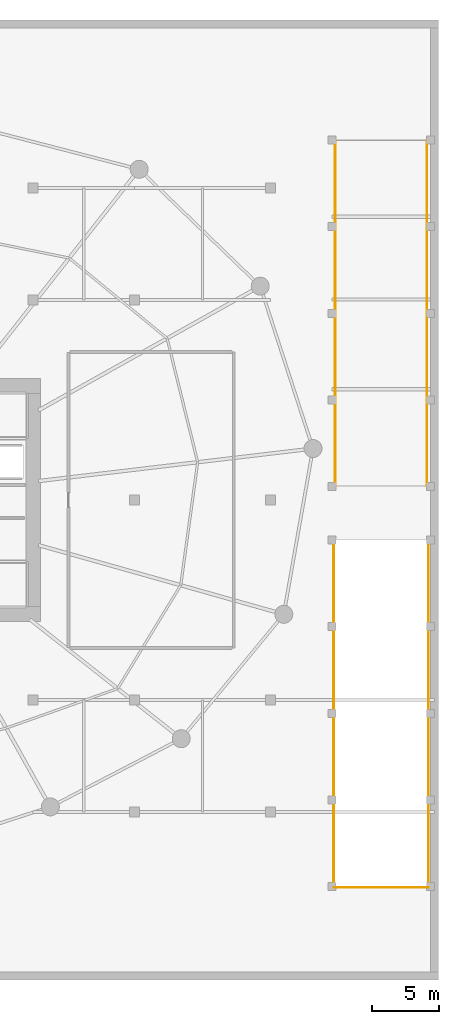
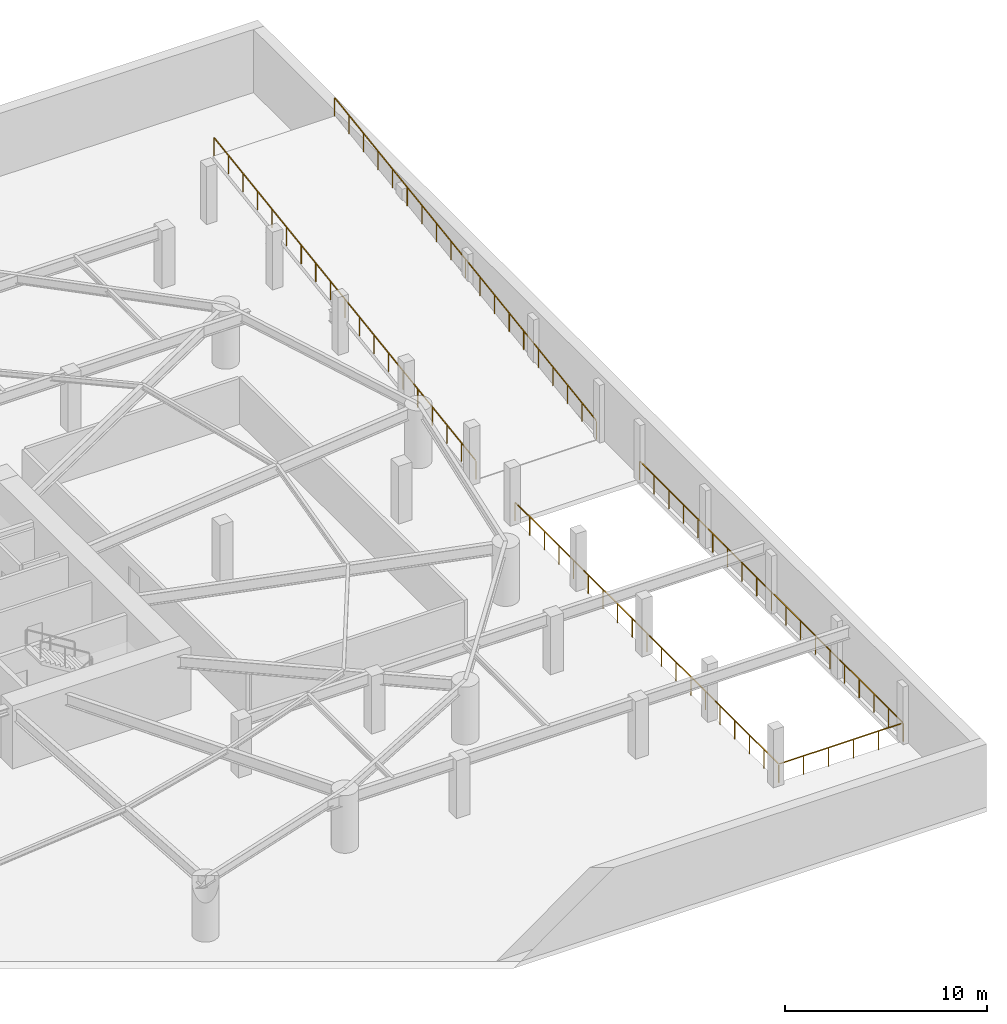
# One storey, part 13 of 13: 5 railings.
"""IFC4 building model written with IfcOpenShell, lengths in metres."""

from ifc_helpers import new_model, si_unit, direction, frame, origin, origin_2d, place, context, subcontext, project, spatial, rectangle, extrude, material, type_object, element, save


model = new_model("IFC4")

# Units and contexts
model_context = context("Model", 3, precision=1e-05, world=origin(), true_north=direction((0.0, 1.0)))
body_context = subcontext(model_context, "Body", "Model", "MODEL_VIEW")
ifc_project = project(units=[si_unit("LENGTHUNIT", "METRE"), si_unit("AREAUNIT", "SQUARE_METRE"), si_unit("VOLUMEUNIT", "CUBIC_METRE"), si_unit("PLANEANGLEUNIT", "RADIAN"), si_unit("MASSUNIT", "GRAM", prefix="KILO")], contexts=[model_context])

# Site, building, storey
site_placement = place(None, origin())
site = spatial("IfcSite", under=ifc_project, at=site_placement, CompositionType="ELEMENT")
building_placement = place(site_placement, origin())
building = spatial("IfcBuilding", under=site, at=building_placement, Name="Kazma Halo Residences", CompositionType="ELEMENT")
storey_placement = place(building_placement, frame((0.0, 0.0, -3.800048828125)))
storey = spatial("IfcBuildingStorey", under=building, at=storey_placement, Name="B01", CompositionType="ELEMENT", Elevation=-3.800048828125)

# Railings
ifc_material = material(Name="Brushed Stainless Steel and Laminated Glass", Category="steel")
railing_type = type_object("IfcRailingType", Name="RLG-EXT-GUARD-1150", PredefinedType="GUARDRAIL", material=ifc_material)
railing_1_placement = place(storey_placement, frame((82.14990234375, 12.949951171875, 0.0)))
element("IfcRailing", 1, at=railing_1_placement, inside=storey, type_object=railing_type, Name="B01 ramp void west guard", PredefinedType="GUARDRAIL", context=body_context, shape_type="SweptSolid", body=[
    extrude(rectangle(XDim=0.050048828125, YDim=0.050048828125, at=origin_2d()), frame((0.0, 0.04248046875, 1.125), z_axis=(0.0, 1.0, 0.0), x_axis=(-1.0, 0.0, 0.0)), (0.0, 0.0, 1.0), 25.96484375),
    extrude(rectangle(XDim=0.0400390625, YDim=0.0400390625, at=origin_2d()), origin(), (0.0, 0.0, 1.0), 1.087890625),
    extrude(rectangle(XDim=0.0400390625, YDim=0.0400390625, at=origin_2d()), frame((0.0, 1.447265625, 0.0)), (0.0, 0.0, 1.0), 1.087890625),
    extrude(rectangle(XDim=0.0400390625, YDim=0.0400390625, at=origin_2d()), frame((0.0, 2.89453125, 0.0)), (0.0, 0.0, 1.0), 1.087890625),
    extrude(rectangle(XDim=0.0400390625, YDim=0.0400390625, at=origin_2d()), frame((0.0, 4.341796875, 0.0)), (0.0, 0.0, 1.0), 1.087890625),
    extrude(rectangle(XDim=0.0400390625, YDim=0.0400390625, at=origin_2d()), frame((0.0, 5.788818359375, 0.0)), (0.0, 0.0, 1.0), 1.087890625),
    extrude(rectangle(XDim=0.0400390625, YDim=0.0400390625, at=origin_2d()), frame((0.0, 7.236083984375, 0.0)), (0.0, 0.0, 1.0), 1.087890625),
    extrude(rectangle(XDim=0.0400390625, YDim=0.0400390625, at=origin_2d()), frame((0.0, 8.683349609375, 0.0)), (0.0, 0.0, 1.0), 1.087890625),
    extrude(rectangle(XDim=0.0400390625, YDim=0.0400390625, at=origin_2d()), frame((0.0, 10.130615234375, 0.0)), (0.0, 0.0, 1.0), 1.087890625),
    extrude(rectangle(XDim=0.0400390625, YDim=0.0400390625, at=origin_2d()), frame((0.0, 11.577880859375, 0.0)), (0.0, 0.0, 1.0), 1.087890625),
    extrude(rectangle(XDim=0.0400390625, YDim=0.0400390625, at=origin_2d()), frame((0.0, 13.02490234375, 0.0)), (0.0, 0.0, 1.0), 1.087890625),
    extrude(rectangle(XDim=0.0400390625, YDim=0.0400390625, at=origin_2d()), frame((0.0, 14.47216796875, 0.0)), (0.0, 0.0, 1.0), 1.087890625),
    extrude(rectangle(XDim=0.0400390625, YDim=0.0400390625, at=origin_2d()), frame((0.0, 15.91943359375, 0.0)), (0.0, 0.0, 1.0), 1.087890625),
    extrude(rectangle(XDim=0.0400390625, YDim=0.0400390625, at=origin_2d()), frame((0.0, 17.36669921875, 0.0)), (0.0, 0.0, 1.0), 1.087890625),
    extrude(rectangle(XDim=0.0400390625, YDim=0.0400390625, at=origin_2d()), frame((0.0, 18.81396484375, 0.0)), (0.0, 0.0, 1.0), 1.087890625),
    extrude(rectangle(XDim=0.0400390625, YDim=0.0400390625, at=origin_2d()), frame((0.0, 20.26123046875, 0.0)), (0.0, 0.0, 1.0), 1.087890625),
    extrude(rectangle(XDim=0.0400390625, YDim=0.0400390625, at=origin_2d()), frame((0.0, 21.70849609375, 0.0)), (0.0, 0.0, 1.0), 1.087890625),
    extrude(rectangle(XDim=0.0400390625, YDim=0.0400390625, at=origin_2d()), frame((0.0, 23.155517578125, 0.0)), (0.0, 0.0, 1.0), 1.087890625),
    extrude(rectangle(XDim=0.0400390625, YDim=0.0400390625, at=origin_2d()), frame((0.0, 24.602783203125, 0.0)), (0.0, 0.0, 1.0), 1.087890625),
    extrude(rectangle(XDim=0.0400390625, YDim=0.0400390625, at=origin_2d()), frame((0.0, 26.050048828125, 0.0)), (0.0, 0.0, 1.0), 1.087890625),
])
railing_2_placement = place(storey_placement, frame((89.25, 12.949951171875, 0.0)))
element("IfcRailing", 2, at=railing_2_placement, inside=storey, type_object=railing_type, Name="B01 ramp void east guard", PredefinedType="GUARDRAIL", context=body_context, shape_type="SweptSolid", body=[
    extrude(rectangle(XDim=0.050048828125, YDim=0.050048828125, at=origin_2d()), frame((0.0, 0.04248046875, 1.125), z_axis=(0.0, 1.0, 0.0), x_axis=(-1.0, 0.0, 0.0)), (0.0, 0.0, 1.0), 25.96484375),
    extrude(rectangle(XDim=0.0400390625, YDim=0.0400390625, at=origin_2d()), origin(), (0.0, 0.0, 1.0), 1.087890625),
    extrude(rectangle(XDim=0.0400390625, YDim=0.0400390625, at=origin_2d()), frame((0.0, 1.447265625, 0.0)), (0.0, 0.0, 1.0), 1.087890625),
    extrude(rectangle(XDim=0.0400390625, YDim=0.0400390625, at=origin_2d()), frame((0.0, 2.89453125, 0.0)), (0.0, 0.0, 1.0), 1.087890625),
    extrude(rectangle(XDim=0.0400390625, YDim=0.0400390625, at=origin_2d()), frame((0.0, 4.341796875, 0.0)), (0.0, 0.0, 1.0), 1.087890625),
    extrude(rectangle(XDim=0.0400390625, YDim=0.0400390625, at=origin_2d()), frame((0.0, 5.788818359375, 0.0)), (0.0, 0.0, 1.0), 1.087890625),
    extrude(rectangle(XDim=0.0400390625, YDim=0.0400390625, at=origin_2d()), frame((0.0, 7.236083984375, 0.0)), (0.0, 0.0, 1.0), 1.087890625),
    extrude(rectangle(XDim=0.0400390625, YDim=0.0400390625, at=origin_2d()), frame((0.0, 8.683349609375, 0.0)), (0.0, 0.0, 1.0), 1.087890625),
    extrude(rectangle(XDim=0.0400390625, YDim=0.0400390625, at=origin_2d()), frame((0.0, 10.130615234375, 0.0)), (0.0, 0.0, 1.0), 1.087890625),
    extrude(rectangle(XDim=0.0400390625, YDim=0.0400390625, at=origin_2d()), frame((0.0, 11.577880859375, 0.0)), (0.0, 0.0, 1.0), 1.087890625),
    extrude(rectangle(XDim=0.0400390625, YDim=0.0400390625, at=origin_2d()), frame((0.0, 13.02490234375, 0.0)), (0.0, 0.0, 1.0), 1.087890625),
    extrude(rectangle(XDim=0.0400390625, YDim=0.0400390625, at=origin_2d()), frame((0.0, 14.47216796875, 0.0)), (0.0, 0.0, 1.0), 1.087890625),
    extrude(rectangle(XDim=0.0400390625, YDim=0.0400390625, at=origin_2d()), frame((0.0, 15.91943359375, 0.0)), (0.0, 0.0, 1.0), 1.087890625),
    extrude(rectangle(XDim=0.0400390625, YDim=0.0400390625, at=origin_2d()), frame((0.0, 17.36669921875, 0.0)), (0.0, 0.0, 1.0), 1.087890625),
    extrude(rectangle(XDim=0.0400390625, YDim=0.0400390625, at=origin_2d()), frame((0.0, 18.81396484375, 0.0)), (0.0, 0.0, 1.0), 1.087890625),
    extrude(rectangle(XDim=0.0400390625, YDim=0.0400390625, at=origin_2d()), frame((0.0, 20.26123046875, 0.0)), (0.0, 0.0, 1.0), 1.087890625),
    extrude(rectangle(XDim=0.0400390625, YDim=0.0400390625, at=origin_2d()), frame((0.0, 21.70849609375, 0.0)), (0.0, 0.0, 1.0), 1.087890625),
    extrude(rectangle(XDim=0.0400390625, YDim=0.0400390625, at=origin_2d()), frame((0.0, 23.155517578125, 0.0)), (0.0, 0.0, 1.0), 1.087890625),
    extrude(rectangle(XDim=0.0400390625, YDim=0.0400390625, at=origin_2d()), frame((0.0, 24.602783203125, 0.0)), (0.0, 0.0, 1.0), 1.087890625),
    extrude(rectangle(XDim=0.0400390625, YDim=0.0400390625, at=origin_2d()), frame((0.0, 26.050048828125, 0.0)), (0.0, 0.0, 1.0), 1.087890625),
])
railing_3_placement = place(storey_placement, frame((82.14990234375, 12.949951171875, 0.0)))
element("IfcRailing", 3, at=railing_3_placement, inside=storey, type_object=railing_type, Name="B01 ramp void south head guard", PredefinedType="GUARDRAIL", context=body_context, shape_type="SweptSolid", body=[
    extrude(rectangle(XDim=0.050048828125, YDim=0.050048828125, at=origin_2d()), frame((0.04248046875, 0.0, 1.125), z_axis=(1.0, 0.0, 0.0), x_axis=(0.0, 1.0, 0.0)), (0.0, 0.0, 1.0), 7.01513671875),
    extrude(rectangle(XDim=0.0400390625, YDim=0.0400390625, at=origin_2d()), origin(), (0.0, 0.0, 1.0), 1.087890625),
    extrude(rectangle(XDim=0.0400390625, YDim=0.0400390625, at=origin_2d()), frame((1.419921875, 0.0, 0.0)), (0.0, 0.0, 1.0), 1.087890625),
    extrude(rectangle(XDim=0.0400390625, YDim=0.0400390625, at=origin_2d()), frame((2.840087890625, 0.0, 0.0)), (0.0, 0.0, 1.0), 1.087890625),
    extrude(rectangle(XDim=0.0400390625, YDim=0.0400390625, at=origin_2d()), frame((4.260009765625, 0.0, 0.0)), (0.0, 0.0, 1.0), 1.087890625),
    extrude(rectangle(XDim=0.0400390625, YDim=0.0400390625, at=origin_2d()), frame((5.68017578125, 0.0, 0.0)), (0.0, 0.0, 1.0), 1.087890625),
    extrude(rectangle(XDim=0.0400390625, YDim=0.0400390625, at=origin_2d()), frame((7.10009765625, 0.0, 0.0)), (0.0, 0.0, 1.0), 1.087890625),
])
railing_4_placement = place(storey_placement, frame((82.260009765625, 43.050048828125, 0.0)))
element("IfcRailing", 4, at=railing_4_placement, inside=storey, type_object=railing_type, Name="B01 vehicle ramp west curb guard", PredefinedType="GUARDRAIL", context=body_context, shape_type="SweptSolid", body=[
    extrude(rectangle(XDim=0.050048828125, YDim=0.050048828125, at=origin_2d()), frame((0.0, 0.0419921875, 1.131103515625), z_axis=(0.0, 0.989407253389, 0.145166411204), x_axis=(-1.0, 0.0, 0.0)), (0.0, 0.0, 1.0), 26.092041015625),
    extrude(rectangle(XDim=0.0400390625, YDim=0.0400390625, at=origin_2d()), origin(), (0.0, 0.0, 1.0), 1.087890625),
    extrude(rectangle(XDim=0.0400390625, YDim=0.0400390625, at=origin_2d()), frame((0.0, 1.43896484375, 0.211181640625)), (0.0, 0.0, 1.0), 1.087890625),
    extrude(rectangle(XDim=0.0400390625, YDim=0.0400390625, at=origin_2d()), frame((0.0, 2.877685546875, 0.422119140625)), (0.0, 0.0, 1.0), 1.087890625),
    extrude(rectangle(XDim=0.0400390625, YDim=0.0400390625, at=origin_2d()), frame((0.0, 4.316650390625, 0.63330078125)), (0.0, 0.0, 1.0), 1.087890625),
    extrude(rectangle(XDim=0.0400390625, YDim=0.0400390625, at=origin_2d()), frame((0.0, 5.755615234375, 0.844482421875)), (0.0, 0.0, 1.0), 1.087890625),
    extrude(rectangle(XDim=0.0400390625, YDim=0.0400390625, at=origin_2d()), frame((0.0, 7.1943359375, 1.0556640625)), (0.0, 0.0, 1.0), 1.087890625),
    extrude(rectangle(XDim=0.0400390625, YDim=0.0400390625, at=origin_2d()), frame((0.0, 8.63330078125, 1.2666015625)), (0.0, 0.0, 1.0), 1.087890625),
    extrude(rectangle(XDim=0.0400390625, YDim=0.0400390625, at=origin_2d()), frame((0.0, 10.072265625, 1.477783203125)), (0.0, 0.0, 1.0), 1.087890625),
    extrude(rectangle(XDim=0.0400390625, YDim=0.0400390625, at=origin_2d()), frame((0.0, 11.510986328125, 1.68896484375)), (0.0, 0.0, 1.0), 1.087890625),
    extrude(rectangle(XDim=0.0400390625, YDim=0.0400390625, at=origin_2d()), frame((0.0, 12.949951171875, 1.89990234375)), (0.0, 0.0, 1.0), 1.087890625),
    extrude(rectangle(XDim=0.0400390625, YDim=0.0400390625, at=origin_2d()), frame((0.0, 14.388916015625, 2.111083984375)), (0.0, 0.0, 1.0), 1.087890625),
    extrude(rectangle(XDim=0.0400390625, YDim=0.0400390625, at=origin_2d()), frame((0.0, 15.82763671875, 2.322265625)), (0.0, 0.0, 1.0), 1.087890625),
    extrude(rectangle(XDim=0.0400390625, YDim=0.0400390625, at=origin_2d()), frame((0.0, 17.2666015625, 2.533447265625)), (0.0, 0.0, 1.0), 1.087890625),
    extrude(rectangle(XDim=0.0400390625, YDim=0.0400390625, at=origin_2d()), frame((0.0, 18.70556640625, 2.744384765625)), (0.0, 0.0, 1.0), 1.087890625),
    extrude(rectangle(XDim=0.0400390625, YDim=0.0400390625, at=origin_2d()), frame((0.0, 20.144287109375, 2.95556640625)), (0.0, 0.0, 1.0), 1.087890625),
    extrude(rectangle(XDim=0.0400390625, YDim=0.0400390625, at=origin_2d()), frame((0.0, 21.583251953125, 3.166748046875)), (0.0, 0.0, 1.0), 1.087890625),
    extrude(rectangle(XDim=0.0400390625, YDim=0.0400390625, at=origin_2d()), frame((0.0, 23.022216796875, 3.3779296875)), (0.0, 0.0, 1.0), 1.087890625),
    extrude(rectangle(XDim=0.0400390625, YDim=0.0400390625, at=origin_2d()), frame((0.0, 24.4609375, 3.5888671875)), (0.0, 0.0, 1.0), 1.087890625),
    extrude(rectangle(XDim=0.0400390625, YDim=0.0400390625, at=origin_2d()), frame((0.0, 25.89990234375, 3.800048828125)), (0.0, 0.0, 1.0), 1.087890625),
])
railing_5_placement = place(storey_placement, frame((89.139892578125, 43.050048828125, 0.0)))
element("IfcRailing", 5, at=railing_5_placement, inside=storey, type_object=railing_type, Name="B01 vehicle ramp east curb guard", PredefinedType="GUARDRAIL", context=body_context, shape_type="SweptSolid", body=[
    extrude(rectangle(XDim=0.050048828125, YDim=0.050048828125, at=origin_2d()), frame((0.0, 0.0419921875, 1.131103515625), z_axis=(0.0, 0.989407253389, 0.145166411204), x_axis=(-1.0, 0.0, 0.0)), (0.0, 0.0, 1.0), 26.092041015625),
    extrude(rectangle(XDim=0.0400390625, YDim=0.0400390625, at=origin_2d()), origin(), (0.0, 0.0, 1.0), 1.087890625),
    extrude(rectangle(XDim=0.0400390625, YDim=0.0400390625, at=origin_2d()), frame((0.0, 1.43896484375, 0.211181640625)), (0.0, 0.0, 1.0), 1.087890625),
    extrude(rectangle(XDim=0.0400390625, YDim=0.0400390625, at=origin_2d()), frame((0.0, 2.877685546875, 0.422119140625)), (0.0, 0.0, 1.0), 1.087890625),
    extrude(rectangle(XDim=0.0400390625, YDim=0.0400390625, at=origin_2d()), frame((0.0, 4.316650390625, 0.63330078125)), (0.0, 0.0, 1.0), 1.087890625),
    extrude(rectangle(XDim=0.0400390625, YDim=0.0400390625, at=origin_2d()), frame((0.0, 5.755615234375, 0.844482421875)), (0.0, 0.0, 1.0), 1.087890625),
    extrude(rectangle(XDim=0.0400390625, YDim=0.0400390625, at=origin_2d()), frame((0.0, 7.1943359375, 1.0556640625)), (0.0, 0.0, 1.0), 1.087890625),
    extrude(rectangle(XDim=0.0400390625, YDim=0.0400390625, at=origin_2d()), frame((0.0, 8.63330078125, 1.2666015625)), (0.0, 0.0, 1.0), 1.087890625),
    extrude(rectangle(XDim=0.0400390625, YDim=0.0400390625, at=origin_2d()), frame((0.0, 10.072265625, 1.477783203125)), (0.0, 0.0, 1.0), 1.087890625),
    extrude(rectangle(XDim=0.0400390625, YDim=0.0400390625, at=origin_2d()), frame((0.0, 11.510986328125, 1.68896484375)), (0.0, 0.0, 1.0), 1.087890625),
    extrude(rectangle(XDim=0.0400390625, YDim=0.0400390625, at=origin_2d()), frame((0.0, 12.949951171875, 1.89990234375)), (0.0, 0.0, 1.0), 1.087890625),
    extrude(rectangle(XDim=0.0400390625, YDim=0.0400390625, at=origin_2d()), frame((0.0, 14.388916015625, 2.111083984375)), (0.0, 0.0, 1.0), 1.087890625),
    extrude(rectangle(XDim=0.0400390625, YDim=0.0400390625, at=origin_2d()), frame((0.0, 15.82763671875, 2.322265625)), (0.0, 0.0, 1.0), 1.087890625),
    extrude(rectangle(XDim=0.0400390625, YDim=0.0400390625, at=origin_2d()), frame((0.0, 17.2666015625, 2.533447265625)), (0.0, 0.0, 1.0), 1.087890625),
    extrude(rectangle(XDim=0.0400390625, YDim=0.0400390625, at=origin_2d()), frame((0.0, 18.70556640625, 2.744384765625)), (0.0, 0.0, 1.0), 1.087890625),
    extrude(rectangle(XDim=0.0400390625, YDim=0.0400390625, at=origin_2d()), frame((0.0, 20.144287109375, 2.95556640625)), (0.0, 0.0, 1.0), 1.087890625),
    extrude(rectangle(XDim=0.0400390625, YDim=0.0400390625, at=origin_2d()), frame((0.0, 21.583251953125, 3.166748046875)), (0.0, 0.0, 1.0), 1.087890625),
    extrude(rectangle(XDim=0.0400390625, YDim=0.0400390625, at=origin_2d()), frame((0.0, 23.022216796875, 3.3779296875)), (0.0, 0.0, 1.0), 1.087890625),
    extrude(rectangle(XDim=0.0400390625, YDim=0.0400390625, at=origin_2d()), frame((0.0, 24.4609375, 3.5888671875)), (0.0, 0.0, 1.0), 1.087890625),
    extrude(rectangle(XDim=0.0400390625, YDim=0.0400390625, at=origin_2d()), frame((0.0, 25.89990234375, 3.800048828125)), (0.0, 0.0, 1.0), 1.087890625),
])

save(model, "model.ifc")
